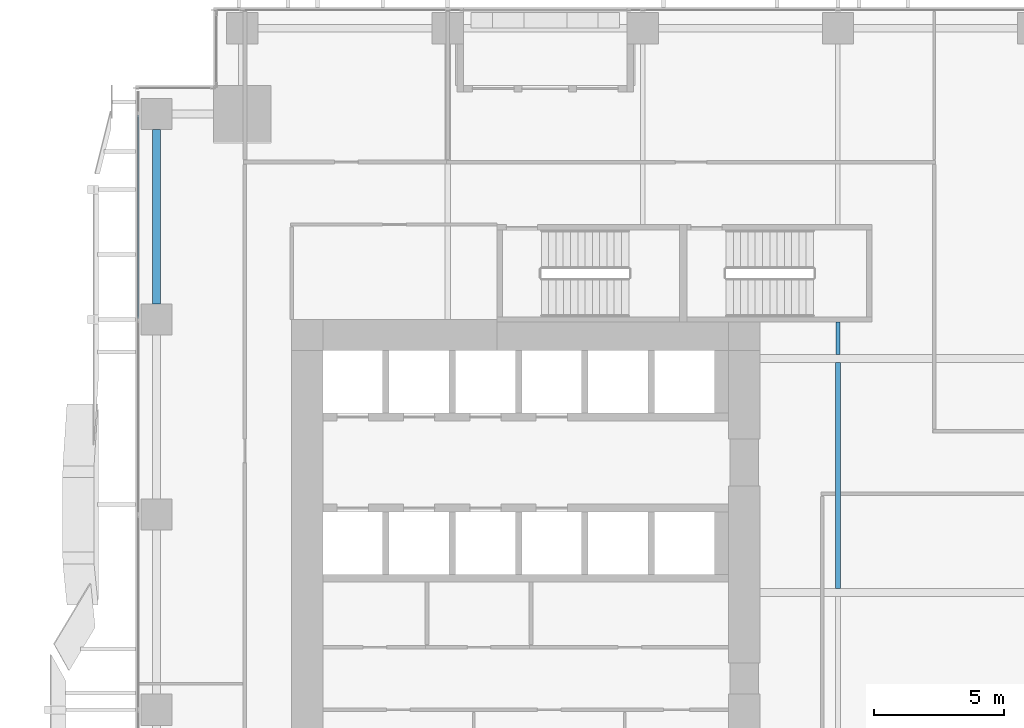
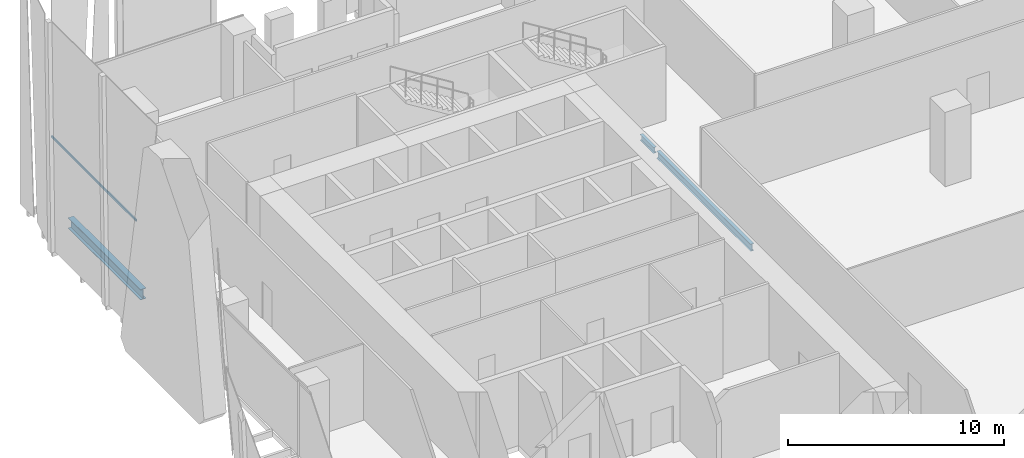
# One storey, part 12 of 34: 3 beams, 1 member, 1 element without a shape of its own.
"""IFC4 building model written with IfcOpenShell, lengths in metres."""

from ifc_helpers import new_model, si_unit, direction, frame, origin, origin_2d, place, context, subcontext, project, spatial, hollow_rectangle, i_section, extrude, source, transform, mapped, material, material_profile, profile_set, type_object, element, aggregate, save


model = new_model("IFC4")

# Units and contexts
model_context = context("Model", 3, precision=1e-05, world=origin(), true_north=direction((0.0, 1.0)))
body_context = subcontext(model_context, "Body", "Model", "MODEL_VIEW")
ifc_project = project(units=[si_unit("LENGTHUNIT", "METRE"), si_unit("AREAUNIT", "SQUARE_METRE"), si_unit("VOLUMEUNIT", "CUBIC_METRE"), si_unit("PLANEANGLEUNIT", "RADIAN"), si_unit("MASSUNIT", "GRAM", prefix="KILO")], contexts=[model_context])

# Site, building, storey
site_placement = place(None, origin())
site = spatial("IfcSite", under=ifc_project, at=site_placement, CompositionType="ELEMENT")
building_placement = place(site_placement, origin())
building = spatial("IfcBuilding", under=site, at=building_placement, Name="Khomas Fold Tower", CompositionType="ELEMENT")
storey_placement = place(building_placement, frame((0.0, 0.0, 73.5)))
storey = spatial("IfcBuildingStorey", under=building, at=storey_placement, Name="L15", CompositionType="ELEMENT", Elevation=73.5)

# Beams
ifc_material_1 = material(Name="Steel S355", Category="steel")
ifc_material_profile_1 = material_profile(ifc_material_1, i_section(OverallWidth=0.179931640625, OverallDepth=0.39990234375, WebThickness=0.008544921875, FlangeThickness=0.013427734375, at=origin_2d()), Name="IPE 400")
ifc_profile_set_1 = profile_set([ifc_material_profile_1], Name="Steel S355")
beam_type_1 = type_object("IfcBeamType", Name="IPE 400 beam JB3", PredefinedType="BEAM", material=ifc_profile_set_1)
shared_shape_1 = source(origin(), body_context, "Body", "SweptSolid", [
    extrude(i_section(OverallWidth=0.179931640625, OverallDepth=0.39990234375, WebThickness=0.008544921875, FlangeThickness=0.013427734375, at=origin_2d()), origin(), (0.0, 0.0, 1.0), 8.7001953125),
])
beam_1_placement = place(storey_placement, frame((27.0, 31.64990234375, -0.5), z_axis=(0.0, 1.0, 0.0), x_axis=(-1.0, 0.0, 0.0)))
element("IfcBeam", 1, at=beam_1_placement, inside=storey, type_object=beam_type_1, Name="JB3", PredefinedType="BEAM", context=body_context, shape_type="MappedRepresentation", body=[
    mapped(shared_shape_1, transform((0.0, 0.0, 0.0))),
])
ifc_material_2 = material(Name="Steel S355", Category="steel")
ifc_material_profile_2 = material_profile(ifc_material_2, i_section(OverallWidth=0.300048828125, OverallDepth=0.60009765625, WebThickness=0.015380859375, FlangeThickness=0.030029296875, at=origin_2d()), Name="HE 600 B")
ifc_profile_set_2 = profile_set([ifc_material_profile_2], Name="Steel S355")
beam_type_2 = type_object("IfcBeamType", Name="HE 600 B spandrel SB1", PredefinedType="SPANDREL", material=ifc_profile_set_2)
shared_shape_2 = source(origin(), body_context, "Body", "SweptSolid", [
    extrude(i_section(OverallWidth=0.300048828125, OverallDepth=0.60009765625, WebThickness=0.015380859375, FlangeThickness=0.030029296875, at=origin_2d()), origin(), (0.0, 0.0, 1.0), 6.699951171875),
])
beam_2_placement = place(storey_placement, frame((0.800048828125, 42.60009765625, -0.60009765625), z_axis=(0.0, 1.0, 0.0), x_axis=(-1.0, 0.0, 0.0)))
element("IfcBeam", 2, at=beam_2_placement, inside=storey, type_object=beam_type_2, Name="SB1", PredefinedType="SPANDREL", context=body_context, shape_type="MappedRepresentation", body=[
    mapped(shared_shape_2, transform((0.0, 0.0, 0.0))),
])
ifc_material_3 = material(Name="Steel S355", Category="steel")
ifc_material_profile_3 = material_profile(ifc_material_3, i_section(OverallWidth=0.159912109375, OverallDepth=0.330078125, WebThickness=0.007568359375, FlangeThickness=0.011474609375, at=origin_2d()), Name="IPE 330")
ifc_profile_set_3 = profile_set([ifc_material_profile_3], Name="Steel S355")
beam_type_3 = type_object("IfcBeamType", Name="IPE 330 beam JB1", PredefinedType="BEAM", material=ifc_profile_set_3)
shared_shape_3 = source(origin(), body_context, "Body", "SweptSolid", [
    extrude(i_section(OverallWidth=0.159912109375, OverallDepth=0.330078125, WebThickness=0.007568359375, FlangeThickness=0.011474609375, at=origin_2d()), origin(), (0.0, 0.0, 1.0), 1.25),
])
beam_3_placement = place(storey_placement, frame((27.0, 40.64990234375, -0.465087890625), z_axis=(0.0, 1.0, 0.0), x_axis=(-1.0, 0.0, 0.0)))
element("IfcBeam", 3, at=beam_3_placement, inside=storey, type_object=beam_type_3, Name="JB1", PredefinedType="BEAM", context=body_context, shape_type="MappedRepresentation", body=[
    mapped(shared_shape_3, transform((0.0, 0.0, 0.0))),
])

# Curtain wall, member
ifc_material_4 = material(Name="Aluminium framed double glazing", Category="aluminium")
curtain_wall_type = type_object("IfcCurtainWallType", Name="SK-Unitised clear-glass wall, growing floors CW1", PredefinedType="NOTDEFINED", material=ifc_material_4)
curtain_wall_placement = place(storey_placement, origin())
curtain_wall = element("IfcCurtainWall", 4, at=curtain_wall_placement, inside=storey, type_object=curtain_wall_type, Name="CW1 run L15 09-0", PredefinedType="NOTDEFINED")
ifc_material_5 = material(Name="Aluminium", Category="aluminium")
ifc_material_profile_4 = material_profile(ifc_material_5, hollow_rectangle(XDim=0.06005859375, YDim=0.1201171875, WallThickness=0.00390625, at=origin_2d()), Name="SK-Unitised clear-glass wall, growing floors transom CW1-T")
ifc_profile_set_4 = profile_set([ifc_material_profile_4], Name="Aluminium")
member_type = type_object("IfcMemberType", Name="SK-Unitised clear-glass wall, growing floors transom CW1-T", PredefinedType="USERDEFINED", material=ifc_profile_set_4)
shared_shape_4 = source(origin(), body_context, "Body", "SweptSolid", [
    extrude(hollow_rectangle(XDim=0.06005859375, YDim=0.1201171875, WallThickness=0.00390625, at=origin_2d()), origin(), (0.0, 0.0, 1.0), 7.840087890625),
])
member_placement = place(storey_placement, frame((0.10009765625, 49.8701171875, 4.139892578125), z_axis=(0.0, -1.0, 0.0), x_axis=(1.0, 0.0, 0.0)))
member = element("IfcMember", 5, at=member_placement, type_object=member_type, Name="CW1 transom 2", ObjectType="TRANSOM", PredefinedType="USERDEFINED", context=body_context, shape_type="MappedRepresentation", body=[
    mapped(shared_shape_4, transform((0.0, 0.0, 0.0))),
])
aggregate(curtain_wall, [member])

save(model, "model.ifc")
